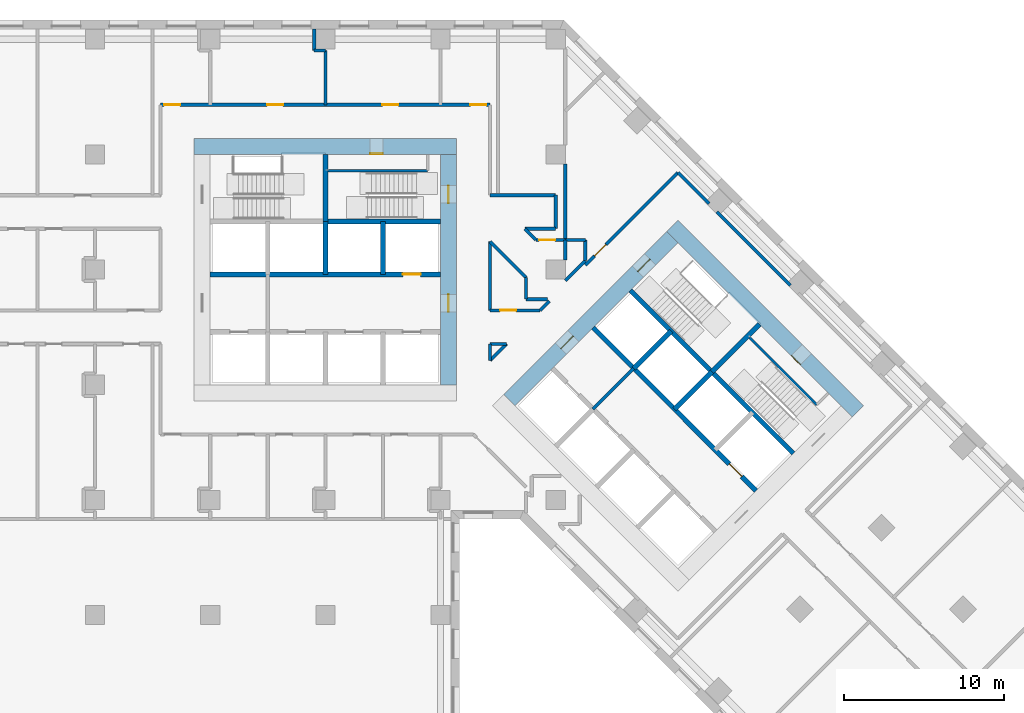
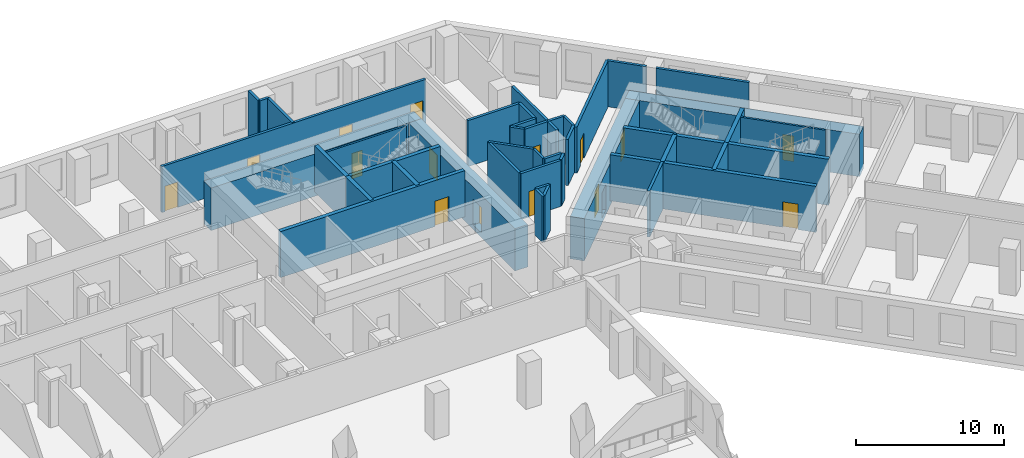
# One storey, part 9 of 14: 44 walls, 15 doors, 15 openings.
"""IFC4 building model written with IfcOpenShell, lengths in metres."""

import ifcopenshell
import ifcopenshell.guid

model = None  # the IFC model being written
_history = None  # IfcOwnerHistory: only IFC2X3 demands one
_inside = {}  # id of a spatial element -> (the spatial element, [elements in it])
_under = {}  # id of a project, library or spatial element -> (it, [spatial elements below it])
_declared = {}  # id of a project -> (the project, [libraries it declares])
_typed = {}  # id of a type object -> (the type object, [elements of that type])
_made_of = {}  # id of a material, layer set ... -> (it, [elements and type objects made of it])


def new_model(schema):
    """Start an empty IFC model of exactly this schema.

    Asked for "IFC4X3", IfcOpenShell would pick the latest addendum, in which some entities
    have other attributes; the version numbers below select the first issue.
    IFC2X3 requires an IfcOwnerHistory on every rooted entity: one is made here for all.
    """
    global model, _history
    if schema == "IFC4X3":
        model = ifcopenshell.file(schema_version=(4, 3, 0, 0))
    else:
        model = ifcopenshell.file(schema=schema)
    _inside.clear()
    _under.clear()
    _declared.clear()
    _typed.clear()
    _made_of.clear()
    _history = None
    if model.schema == "IFC2X3":
        org = make("IfcOrganization", Name="unknown")
        user = make(
            "IfcPersonAndOrganization",
            ThePerson=make("IfcPerson", FamilyName="unknown"),
            TheOrganization=org,
        )
        app = make(
            "IfcApplication",
            ApplicationDeveloper=org,
            Version="unknown",
            ApplicationFullName="unknown",
            ApplicationIdentifier="unknown",
        )
        _history = make(
            "IfcOwnerHistory",
            OwningUser=user,
            OwningApplication=app,
            ChangeAction="ADDED",
            CreationDate=0,
        )
    return model


def make(cls, **values):
    """One entity of the class cls with the attributes given. An attribute that is None is left unset."""
    return model.create_entity(
        cls, **{name: value for name, value in values.items() if value is not None}
    )


def rooted(cls, **values):
    """An entity with a GlobalId (a new one), such as an element, a storey or a relation."""
    return make(cls, GlobalId=ifcopenshell.guid.new(), OwnerHistory=_history, **values)


def si_unit(unit_type, name, prefix=None):
    """IfcSIUnit, for example si_unit("LENGTHUNIT", "METRE", prefix="MILLI")."""
    return make("IfcSIUnit", UnitType=unit_type, Prefix=prefix, Name=name)


def assignment(units):
    """IfcUnitAssignment: the units of a project."""
    return None if units is None else make("IfcUnitAssignment", Units=units)


def point(xyz):
    """IfcCartesianPoint."""
    return None if xyz is None else make("IfcCartesianPoint", Coordinates=xyz)


def direction(xyz):
    """IfcDirection."""
    return None if xyz is None else make("IfcDirection", DirectionRatios=xyz)


def frame(location, z_axis=None, x_axis=None):
    """IfcAxis2Placement3D, a coordinate frame: its origin and axes. An axis left out is left unset."""
    return make(
        "IfcAxis2Placement3D",
        Location=point(location),
        Axis=direction(z_axis),
        RefDirection=direction(x_axis),
    )


def frame_2d(location, x_axis=None):
    """IfcAxis2Placement2D, a coordinate frame in the plane: its origin and x axis."""
    return make(
        "IfcAxis2Placement2D", Location=point(location), RefDirection=direction(x_axis)
    )


def origin():
    """The frame at (0, 0, 0) with its axes left unset."""
    return frame((0.0, 0.0, 0.0))


def place(relative_to, where):
    """IfcLocalPlacement: puts the frame where relative to a parent placement (None: the world)."""
    return make(
        "IfcLocalPlacement", PlacementRelTo=relative_to, RelativePlacement=where
    )


def context(
    kind, dimensions, precision=None, world=None, true_north=None, identifier=None
):
    """IfcGeometricRepresentationContext, for example the 3D "Model" context."""
    return make(
        "IfcGeometricRepresentationContext",
        ContextIdentifier=identifier,
        ContextType=kind,
        CoordinateSpaceDimension=dimensions,
        Precision=precision,
        WorldCoordinateSystem=world,
        TrueNorth=true_north,
    )


def subcontext(parent, identifier, kind, view, scale=None):
    """IfcGeometricRepresentationSubContext, for example "Body" below "Model"."""
    return make(
        "IfcGeometricRepresentationSubContext",
        ContextIdentifier=identifier,
        ContextType=kind,
        ParentContext=parent,
        TargetScale=scale,
        TargetView=view,
    )


def project(units=None, contexts=None):
    """IfcProject with its units and contexts."""
    return rooted(
        "IfcProject",
        Name="project",
        RepresentationContexts=contexts,
        UnitsInContext=assignment(units),
    )


def spatial(cls, under=None, at=None, **own):
    """A site, building, storey or space (cls), placed at a placement, below another one or the project."""
    s = rooted(cls, ObjectPlacement=at, **own)
    if under is not None:
        _under.setdefault(under.id(), (under, []))[1].append(s)
    return s


def profile(cls, at=None, kind="AREA", **sizes):
    """A parametric profile (cls). Its sizes go by their IFC names, for example OverallWidth=200.0."""
    return make(cls, ProfileType=kind, Position=at, **sizes)


def rectangle(**sizes):
    """IfcRectangleProfileDef."""
    return profile("IfcRectangleProfileDef", **sizes)


def extrude(swept, where, along, depth):
    """IfcExtrudedAreaSolid: the profile swept, set in the frame where, extruded along a direction by depth."""
    return make(
        "IfcExtrudedAreaSolid",
        SweptArea=swept,
        Position=where,
        ExtrudedDirection=direction(along),
        Depth=depth,
    )


def shape(context_of_items, identifier, shape_type, items):
    """IfcShapeRepresentation: the items that make up one representation, for example the "Body"."""
    return make(
        "IfcShapeRepresentation",
        ContextOfItems=context_of_items,
        RepresentationIdentifier=identifier,
        RepresentationType=shape_type,
        Items=items,
    )


def material(Name=None, Category=None):
    """IfcMaterial."""
    return make("IfcMaterial", Name=Name, Category=Category)


def layer(
    of_material, thickness, ventilated=None, Name=None, Category=None, Priority=None
):
    """IfcMaterialLayer: one layer of a wall or slab, of a material (None: an air gap)."""
    return make(
        "IfcMaterialLayer",
        Material=of_material,
        LayerThickness=thickness,
        IsVentilated=ventilated,
        Name=Name,
        Category=Category,
        Priority=Priority,
    )


def layer_set(layers, Name=None):
    """IfcMaterialLayerSet."""
    return make("IfcMaterialLayerSet", MaterialLayers=layers, LayerSetName=Name)


def made_of(thing, what):
    """Note that an element or type object is made of a material, layer set ...; save() writes the relation."""
    if what is not None:
        _made_of.setdefault(what.id(), (what, []))[1].append(thing)
    return thing


def type_object(cls, material=None, **own):
    """A type object (cls), such as IfcWallType, which elements share."""
    return made_of(rooted(cls, **own), material)


def element(
    cls,
    number,
    at=None,
    inside=None,
    cuts=None,
    type_object=None,
    material=None,
    context=None,
    identifier="Body",
    shape_type=None,
    held_by="IfcProductDefinitionShape",
    body=None,
    shapes=None,
    **own,
):
    """One element of the class cls, such as IfcWall. Its Tag is "e" and its number.

    at: its placement. inside: the storey or other place that contains it. cuts: it is an
    opening in that element (IfcRelVoidsElement). A single representation is given by context,
    identifier, shape_type and body (its items); several are given by shapes. held_by: the class
    of the entity that holds the representations. save() writes the other relations.
    """
    e = rooted(cls, Tag="e%d" % number, ObjectPlacement=at, **own)
    if body is not None:
        shapes = [shape(context, identifier, shape_type, body)]
    if shapes is not None:
        e.Representation = make(held_by, Representations=shapes)
    if inside is not None:
        _inside.setdefault(inside.id(), (inside, []))[1].append(e)
    if cuts is not None:
        rooted(
            "IfcRelVoidsElement", RelatingBuildingElement=cuts, RelatedOpeningElement=e
        )
    if type_object is not None:
        _typed.setdefault(type_object.id(), (type_object, []))[1].append(e)
    return made_of(e, material)


def fill(opening, filler):
    """IfcRelFillsElement: the door or window that sits in an opening."""
    return rooted(
        "IfcRelFillsElement",
        RelatingOpeningElement=opening,
        RelatedBuildingElement=filler,
    )


def aggregate(whole, parts):
    """IfcRelAggregates: a whole, such as a stair, and the parts it consists of."""
    return rooted("IfcRelAggregates", RelatingObject=whole, RelatedObjects=parts)


def save(model, path):
    """Write the relations noted so far, then the file.

    IfcRelAggregates (storeys below a building ...), IfcRelContainedInSpatialStructure (elements
    in a storey), IfcRelDefinesByType, IfcRelAssociatesMaterial and IfcRelDeclares: one each for
    every whole, place, type object, material and project.
    """
    for whole, parts in _under.values():
        aggregate(whole, parts)
    for where, things in _inside.values():
        rooted(
            "IfcRelContainedInSpatialStructure",
            RelatedElements=things,
            RelatingStructure=where,
        )
    for kind, things in _typed.values():
        rooted("IfcRelDefinesByType", RelatedObjects=things, RelatingType=kind)
    for what, things in _made_of.values():
        rooted("IfcRelAssociatesMaterial", RelatedObjects=things, RelatingMaterial=what)
    for by, libraries in _declared.values():
        rooted("IfcRelDeclares", RelatingContext=by, RelatedDefinitions=libraries)
    model.write(path)


model = new_model("IFC4")

# Units and contexts
model_context = context("Model", 3, precision=1e-05, world=origin(), true_north=direction((0.0, 1.0)))
body_context = subcontext(model_context, "Body", "Model", "MODEL_VIEW")
ifc_project = project(units=[si_unit("LENGTHUNIT", "METRE"), si_unit("AREAUNIT", "SQUARE_METRE"), si_unit("VOLUMEUNIT", "CUBIC_METRE"), si_unit("PLANEANGLEUNIT", "RADIAN"), si_unit("MASSUNIT", "GRAM", prefix="KILO")], contexts=[model_context])

# Site, building, storey
site_placement = place(None, origin())
site = spatial("IfcSite", under=ifc_project, at=site_placement, CompositionType="ELEMENT")
building_placement = place(site_placement, origin())
building = spatial("IfcBuilding", under=site, at=building_placement, Name="Windrow Commons", CompositionType="ELEMENT")
storey_placement = place(building_placement, frame((0.0, 0.0, 10.2)))
storey = spatial("IfcBuildingStorey", under=building, at=storey_placement, Name="L02", CompositionType="ELEMENT", Elevation=10.2)

# Wall
ifc_material_1 = material(Name="Blockwork partition", Category="masonry")
ifc_layer_1 = layer(ifc_material_1, 0.2)
ifc_layer_set_1 = layer_set([ifc_layer_1], Name="Fire lobby partition 200")
wall_type_1 = type_object("IfcWallType", Name="Fire lobby partition 200", PredefinedType="PARTITIONING", material=ifc_layer_set_1)
wall_1_placement = place(storey_placement, frame((81.5335, 48.8776, 0.0), z_axis=(0.0, 0.0, 1.0), x_axis=(0.707092892, 0.7071206701, 0.0)))
element("IfcWall", 1, at=wall_1_placement, inside=storey, type_object=wall_type_1, Name="W-core-lobby-B-L02", PredefinedType="PARTITIONING", context=body_context, shape_type="SweptSolid", body=[
    extrude(rectangle(XDim=3.6, YDim=0.2, at=frame_2d((1.8, 0.0))), origin(), (0.0, 0.0, 1.0), 3.8),
])

# Wall, openings, doors
ifc_material_2 = material(Name="Blockwork partition", Category="masonry")
ifc_layer_2 = layer(ifc_material_2, 0.2)
ifc_layer_set_2 = layer_set([ifc_layer_2], Name="IW-CORRIDOR-200")
wall_type_2 = type_object("IfcWallType", Name="IW-CORRIDOR-200", PredefinedType="PARTITIONING", material=ifc_layer_set_2)
wall_2_placement = place(storey_placement, frame((54.5, 67.9, 0.0), z_axis=(0.0, 0.0, 1.0), x_axis=(1.0, 0.0, 0.0)))
wall_2 = element("IfcWall", 2, at=wall_2_placement, inside=storey, type_object=wall_type_2, Name="W-L02-W007", PredefinedType="PARTITIONING", context=body_context, shape_type="SweptSolid", body=[
    extrude(rectangle(XDim=20.6, YDim=0.2, at=frame_2d((10.3, 0.0))), origin(), (0.0, 0.0, 1.0), 3.8),
])
opening_1_placement = place(wall_2_placement, frame((0.2297, 0.0, 0.0)))
opening_1 = element("IfcOpeningElement", 3, at=opening_1_placement, cuts=wall_2, Name="Opening D310F", PredefinedType="OPENING", context=body_context, shape_type="SweptSolid", body=[
    extrude(rectangle(XDim=1.0, YDim=2.1, at=frame_2d((0.5, 1.05))), frame((0.0, 0.11, 0.0), z_axis=(0.0, -1.0, 0.0), x_axis=(1.0, 0.0, 0.0)), (0.0, 0.0, 1.0), 0.22),
])
opening_2_placement = place(wall_2_placement, frame((19.3703, 0.0, 0.0)))
opening_2 = element("IfcOpeningElement", 4, at=opening_2_placement, cuts=wall_2, Name="Opening D310F", PredefinedType="OPENING", context=body_context, shape_type="SweptSolid", body=[
    extrude(rectangle(XDim=1.0, YDim=2.1, at=frame_2d((0.5, 1.05))), frame((0.0, 0.11, 0.0), z_axis=(0.0, -1.0, 0.0), x_axis=(1.0, 0.0, 0.0)), (0.0, 0.0, 1.0), 0.22),
])
opening_3_placement = place(wall_2_placement, frame((6.6575, 0.0, 0.0)))
opening_3 = element("IfcOpeningElement", 5, at=opening_3_placement, cuts=wall_2, Name="Opening D310F", PredefinedType="OPENING", context=body_context, shape_type="SweptSolid", body=[
    extrude(rectangle(XDim=1.0, YDim=2.1, at=frame_2d((0.5, 1.05))), frame((0.0, 0.11, 0.0), z_axis=(0.0, -1.0, 0.0), x_axis=(1.0, 0.0, 0.0)), (0.0, 0.0, 1.0), 0.22),
])
opening_4_placement = place(wall_2_placement, frame((13.8575, 0.0, 0.0)))
opening_4 = element("IfcOpeningElement", 6, at=opening_4_placement, cuts=wall_2, Name="Opening D310F", PredefinedType="OPENING", context=body_context, shape_type="SweptSolid", body=[
    extrude(rectangle(XDim=1.0, YDim=2.1, at=frame_2d((0.5, 1.05))), frame((0.0, 0.11, 0.0), z_axis=(0.0, -1.0, 0.0), x_axis=(1.0, 0.0, 0.0)), (0.0, 0.0, 1.0), 0.22),
])
ifc_material_3 = material(Name="Timber door leaf", Category="wood")
door_type_1 = type_object("IfcDoorType", Name="DT-AMENITY-1000", OperationType="SINGLE_SWING_LEFT", PredefinedType="DOOR", material=ifc_material_3)
door_1_placement = place(opening_1_placement, origin())
door_1 = element("IfcDoor", 7, at=door_1_placement, inside=storey, type_object=door_type_1, Name="D-L02-D036", OperationType="SINGLE_SWING_LEFT", OverallHeight=2.1, OverallWidth=1.0, PredefinedType="DOOR", context=body_context, shape_type="SweptSolid", body=[
    extrude(rectangle(XDim=1.0, YDim=2.1, at=frame_2d((0.5, 1.05))), frame((0.0, 0.025, 0.0), z_axis=(0.0, -1.0, 0.0), x_axis=(1.0, 0.0, 0.0)), (0.0, 0.0, 1.0), 0.05),
])
fill(opening_1, door_1)
door_2_placement = place(opening_2_placement, origin())
door_2 = element("IfcDoor", 8, at=door_2_placement, inside=storey, type_object=door_type_1, Name="D-L02-D037", OperationType="SINGLE_SWING_RIGHT", OverallHeight=2.1, OverallWidth=1.0, PredefinedType="DOOR", context=body_context, shape_type="SweptSolid", body=[
    extrude(rectangle(XDim=1.0, YDim=2.1, at=frame_2d((0.5, 1.05))), frame((0.0, 0.025, 0.0), z_axis=(0.0, -1.0, 0.0), x_axis=(1.0, 0.0, 0.0)), (0.0, 0.0, 1.0), 0.05),
])
fill(opening_2, door_2)
door_3_placement = place(opening_3_placement, origin())
door_3 = element("IfcDoor", 9, at=door_3_placement, inside=storey, type_object=door_type_1, Name="D-L02-D038", OperationType="SINGLE_SWING_RIGHT", OverallHeight=2.1, OverallWidth=1.0, PredefinedType="DOOR", context=body_context, shape_type="SweptSolid", body=[
    extrude(rectangle(XDim=1.0, YDim=2.1, at=frame_2d((0.5, 1.05))), frame((0.0, 0.025, 0.0), z_axis=(0.0, -1.0, 0.0), x_axis=(1.0, 0.0, 0.0)), (0.0, 0.0, 1.0), 0.05),
])
fill(opening_3, door_3)
door_4_placement = place(opening_4_placement, origin())
door_4 = element("IfcDoor", 10, at=door_4_placement, inside=storey, type_object=door_type_1, Name="D-L02-D039", OperationType="SINGLE_SWING_RIGHT", OverallHeight=2.1, OverallWidth=1.0, PredefinedType="DOOR", context=body_context, shape_type="SweptSolid", body=[
    extrude(rectangle(XDim=1.0, YDim=2.1, at=frame_2d((0.5, 1.05))), frame((0.0, 0.025, 0.0), z_axis=(0.0, -1.0, 0.0), x_axis=(1.0, 0.0, 0.0)), (0.0, 0.0, 1.0), 0.05),
])
fill(opening_4, door_4)

# Wall, opening, door
wall_3_placement = place(storey_placement, frame((81.0515, 57.8725, 0.0), z_axis=(0.0, 0.0, 1.0), x_axis=(0.7071067812, 0.7071067812, 0.0)))
wall_3 = element("IfcWall", 11, at=wall_3_placement, inside=storey, type_object=wall_type_2, Name="W-L02-W033", PredefinedType="PARTITIONING", context=body_context, shape_type="SweptSolid", body=[
    extrude(rectangle(XDim=8.1798, YDim=0.2, at=frame_2d((4.0899, 0.0))), origin(), (0.0, 0.0, 1.0), 3.8),
])
opening_5_placement = place(wall_3_placement, frame((0.8234, 0.0, 0.0)))
opening_5 = element("IfcOpeningElement", 12, at=opening_5_placement, cuts=wall_3, Name="Opening D310F", PredefinedType="OPENING", context=body_context, shape_type="SweptSolid", body=[
    extrude(rectangle(XDim=1.0, YDim=2.1, at=frame_2d((0.5, 1.05))), frame((0.0, 0.11, 0.0), z_axis=(0.0, -1.0, 0.0), x_axis=(1.0, 0.0, 0.0)), (0.0, 0.0, 1.0), 0.22),
])
door_5_placement = place(opening_5_placement, origin())
door_5 = element("IfcDoor", 13, at=door_5_placement, inside=storey, type_object=door_type_1, Name="D-L02-D041", OperationType="SINGLE_SWING_RIGHT", OverallHeight=2.1, OverallWidth=1.0, PredefinedType="DOOR", context=body_context, shape_type="SweptSolid", body=[
    extrude(rectangle(XDim=1.0, YDim=2.1, at=frame_2d((0.5, 1.05))), frame((0.0, 0.025, 0.0), z_axis=(0.0, -1.0, 0.0), x_axis=(1.0, 0.0, 0.0)), (0.0, 0.0, 1.0), 0.05),
])
fill(opening_5, door_5)

# Walls
wall_4_placement = place(storey_placement, frame((89.2712, 61.2152, 0.0), z_axis=(0.0, 0.0, 1.0), x_axis=(0.7071067812, -0.7071067812, 0.0)))
element("IfcWall", 14, at=wall_4_placement, inside=storey, type_object=wall_type_2, Name="W-L02-W036", PredefinedType="PARTITIONING", context=body_context, shape_type="SweptSolid", body=[
    extrude(rectangle(XDim=6.5054, YDim=0.2, at=frame_2d((3.2527, 0.0))), origin(), (0.0, 0.0, 1.0), 3.8),
])
wall_5_placement = place(storey_placement, frame((75.1, 55.052, 0.0), z_axis=(0.0, 0.0, 1.0), x_axis=(0.0, 1.0, 0.0)))
element("IfcWall", 15, at=wall_5_placement, inside=storey, type_object=wall_type_2, Name="W-L02-W063", PredefinedType="PARTITIONING", context=body_context, shape_type="SweptSolid", body=[
    extrude(rectangle(XDim=4.288, YDim=0.2, at=frame_2d((2.144, 0.0))), origin(), (0.0, 0.0, 1.0), 3.8),
])
wall_6_placement = place(storey_placement, frame((75.102, 62.25, 0.0), z_axis=(0.0, 0.0, 1.0), x_axis=(1.0, 0.0, 0.0)))
element("IfcWall", 16, at=wall_6_placement, inside=storey, type_object=wall_type_2, Name="W-L02-W064", PredefinedType="PARTITIONING", context=body_context, shape_type="SweptSolid", body=[
    extrude(rectangle(XDim=4.098, YDim=0.2, at=frame_2d((2.049, 0.0))), origin(), (0.0, 0.0, 1.0), 3.8),
])
wall_7_placement = place(storey_placement, frame((75.0986, 59.3366, 0.0), z_axis=(0.0, 0.0, 1.0), x_axis=(0.7071067812, -0.7071067812, 0.0)))
element("IfcWall", 17, at=wall_7_placement, inside=storey, type_object=wall_type_2, Name="W-L02-W072", PredefinedType="PARTITIONING", context=body_context, shape_type="SweptSolid", body=[
    extrude(rectangle(XDim=3.1792, YDim=0.2, at=frame_2d((1.5896, 0.0))), origin(), (0.0, 0.0, 1.0), 3.8),
])

# Wall, opening, door
wall_8_placement = place(storey_placement, frame((75.102, 55.05, 0.0), z_axis=(0.0, 0.0, 1.0), x_axis=(1.0, 0.0, 0.0)))
wall_8 = element("IfcWall", 18, at=wall_8_placement, inside=storey, type_object=wall_type_2, Name="W-L02-W073", PredefinedType="PARTITIONING", context=body_context, shape_type="SweptSolid", body=[
    extrude(rectangle(XDim=3.128, YDim=0.2, at=frame_2d((1.564, 0.0))), origin(), (0.0, 0.0, 1.0), 3.8),
])
opening_6_placement = place(wall_8_placement, frame((0.6166, 0.0, 0.0)))
opening_6 = element("IfcOpeningElement", 19, at=opening_6_placement, cuts=wall_8, Name="Opening D410F", PredefinedType="OPENING", context=body_context, shape_type="SweptSolid", body=[
    extrude(rectangle(XDim=1.0, YDim=2.1, at=frame_2d((0.5, 1.05))), frame((0.0, 0.11, 0.0), z_axis=(0.0, -1.0, 0.0), x_axis=(1.0, 0.0, 0.0)), (0.0, 0.0, 1.0), 0.22),
])
ifc_material_4 = material(Name="Timber door leaf", Category="wood")
door_type_2 = type_object("IfcDoorType", Name="DT-SERVICE-1000", OperationType="SINGLE_SWING_LEFT", PredefinedType="DOOR", material=ifc_material_4)
door_6_placement = place(opening_6_placement, origin())
door_6 = element("IfcDoor", 20, at=door_6_placement, inside=storey, type_object=door_type_2, Name="D-L02-D017", OperationType="SINGLE_SWING_LEFT", OverallHeight=2.1, OverallWidth=1.0, PredefinedType="DOOR", context=body_context, shape_type="SweptSolid", body=[
    extrude(rectangle(XDim=1.0, YDim=2.1, at=frame_2d((0.5, 1.05))), frame((0.0, 0.025, 0.0), z_axis=(0.0, -1.0, 0.0), x_axis=(1.0, 0.0, 0.0)), (0.0, 0.0, 1.0), 0.05),
])
fill(opening_6, door_6)

# Walls
wall_9_placement = place(storey_placement, frame((86.8413, 63.6593, 0.0), z_axis=(0.0, 0.0, 1.0), x_axis=(0.7067795096, -0.7074339014, 0.0)))
element("IfcWall", 21, at=wall_9_placement, inside=storey, type_object=wall_type_2, Name="W-L02-W074", PredefinedType="PARTITIONING", context=body_context, shape_type="SweptSolid", body=[
    extrude(rectangle(XDim=2.7506, YDim=0.2, at=frame_2d((1.3753, 0.0))), origin(), (0.0, 0.0, 1.0), 3.8),
])
wall_10_placement = place(storey_placement, frame((79.2, 60.152, 0.0), z_axis=(0.0, 0.0, 1.0), x_axis=(0.0, 1.0, 0.0)))
element("IfcWall", 22, at=wall_10_placement, inside=storey, type_object=wall_type_2, Name="W-L02-W081", PredefinedType="PARTITIONING", context=body_context, shape_type="SweptSolid", body=[
    extrude(rectangle(XDim=2.098, YDim=0.2, at=frame_2d((1.049, 0.0))), origin(), (0.0, 0.0, 1.0), 3.8),
])
wall_11_placement = place(storey_placement, frame((77.264, 60.15, 0.0), z_axis=(0.0, 0.0, 1.0), x_axis=(1.0, 0.0, 0.0)))
element("IfcWall", 23, at=wall_11_placement, inside=storey, type_object=wall_type_2, Name="W-L02-W084", PredefinedType="PARTITIONING", context=body_context, shape_type="SweptSolid", body=[
    extrude(rectangle(XDim=1.934, YDim=0.2, at=frame_2d((0.967, 0.0))), origin(), (0.0, 0.0, 1.0), 3.8),
])

# Wall, opening, door
wall_12_placement = place(storey_placement, frame((77.962, 59.45, 0.0), z_axis=(0.0, 0.0, 1.0), x_axis=(1.0, 0.0, 0.0)))
wall_12 = element("IfcWall", 24, at=wall_12_placement, inside=storey, type_object=wall_type_2, Name="W-L02-W099", PredefinedType="PARTITIONING", context=body_context, shape_type="SweptSolid", body=[
    extrude(rectangle(XDim=1.838, YDim=0.2, at=frame_2d((0.919, 0.0))), origin(), (0.0, 0.0, 1.0), 3.8),
])
opening_7_placement = place(wall_12_placement, frame((0.195, 0.0, 0.0)))
opening_7 = element("IfcOpeningElement", 25, at=opening_7_placement, cuts=wall_12, Name="Opening D310F", PredefinedType="OPENING", context=body_context, shape_type="SweptSolid", body=[
    extrude(rectangle(XDim=1.0, YDim=2.1, at=frame_2d((0.5, 1.05))), frame((0.0, 0.11, 0.0), z_axis=(0.0, -1.0, 0.0), x_axis=(1.0, 0.0, 0.0)), (0.0, 0.0, 1.0), 0.22),
])
door_7_placement = place(opening_7_placement, origin())
door_7 = element("IfcDoor", 26, at=door_7_placement, inside=storey, type_object=door_type_1, Name="D-L02-D040", OperationType="SINGLE_SWING_LEFT", OverallHeight=2.1, OverallWidth=1.0, PredefinedType="DOOR", context=body_context, shape_type="SweptSolid", body=[
    extrude(rectangle(XDim=1.0, YDim=2.1, at=frame_2d((0.5, 1.05))), frame((0.0, 0.025, 0.0), z_axis=(0.0, -1.0, 0.0), x_axis=(1.0, 0.0, 0.0)), (0.0, 0.0, 1.0), 0.05),
])
fill(opening_7, door_7)

# Walls
wall_13_placement = place(storey_placement, frame((79.8011, 56.9049, 0.0), z_axis=(0.0, 0.0, 1.0), x_axis=(0.7071067812, 0.7071067812, 0.0)))
element("IfcWall", 27, at=wall_13_placement, inside=storey, type_object=wall_type_2, Name="W-L02-W102", PredefinedType="PARTITIONING", context=body_context, shape_type="SweptSolid", body=[
    extrude(rectangle(XDim=1.7649, YDim=0.2, at=frame_2d((0.8824, 0.0))), origin(), (0.0, 0.0, 1.0), 3.8),
])
wall_14_placement = place(storey_placement, frame((75.1015, 51.9225, 0.0), z_axis=(0.0, 0.0, 1.0), x_axis=(0.7071067812, 0.7071067812, 0.0)))
element("IfcWall", 28, at=wall_14_placement, inside=storey, type_object=wall_type_2, Name="W-L02-W106", PredefinedType="PARTITIONING", context=body_context, shape_type="SweptSolid", body=[
    extrude(rectangle(XDim=1.451, YDim=0.2, at=frame_2d((0.7255, 0.0))), origin(), (0.0, 0.0, 1.0), 3.8),
])
for number, where, z_axis, x_axis, name in (
    (29, (77.35, 55.752, 0.0), (0.0, 0.0, 1.0), (0.0, 1.0, 0.0), "W-L02-W123"),
    (30, (77.352, 55.75, 0.0), (0.0, 0.0, 1.0), (1.0, 0.0, 0.0), "W-L02-W124"),
):
    element("IfcWall", number, at=place(storey_placement, frame(where, z_axis=z_axis, x_axis=x_axis)), inside=storey, type_object=wall_type_2, Name=name, PredefinedType="PARTITIONING", context=body_context, shape_type="SweptSolid", body=[
        extrude(rectangle(XDim=1.34, YDim=0.2, at=frame_2d((0.67, 0.0))), origin(), (0.0, 0.0, 1.0), 3.8),
    ])
wall_15_placement = place(storey_placement, frame((79.8, 58.2, 0.0), z_axis=(0.0, 0.0, 1.0), x_axis=(0.0, 1.0, 0.0)))
element("IfcWall", 31, at=wall_15_placement, inside=storey, type_object=wall_type_2, Name="W-L02-W131", PredefinedType="PARTITIONING", context=body_context, shape_type="SweptSolid", body=[
    extrude(rectangle(XDim=1.25, YDim=0.2, at=frame_2d((0.625, 0.0))), origin(), (0.0, 0.0, 1.0), 3.8),
])
wall_16_placement = place(storey_placement, frame((75.1, 51.922, 0.0), z_axis=(0.0, 0.0, 1.0), x_axis=(0.0, 1.0, 0.0)))
element("IfcWall", 32, at=wall_16_placement, inside=storey, type_object=wall_type_2, Name="W-L02-W133", PredefinedType="PARTITIONING", context=body_context, shape_type="SweptSolid", body=[
    extrude(rectangle(XDim=1.028, YDim=0.2, at=frame_2d((0.514, 0.0))), origin(), (0.0, 0.0, 1.0), 3.8),
])
wall_17_placement = place(storey_placement, frame((75.102, 52.95, 0.0), z_axis=(0.0, 0.0, 1.0), x_axis=(1.0, 0.0, 0.0)))
element("IfcWall", 33, at=wall_17_placement, inside=storey, type_object=wall_type_2, Name="W-L02-W134", PredefinedType="PARTITIONING", context=body_context, shape_type="SweptSolid", body=[
    extrude(rectangle(XDim=1.026, YDim=0.2, at=frame_2d((0.513, 0.0))), origin(), (0.0, 0.0, 1.0), 3.8),
])
wall_18_placement = place(storey_placement, frame((77.2605, 60.1445, 0.0), z_axis=(0.0, 0.0, 1.0), x_axis=(0.7071067812, -0.7071067812, 0.0)))
element("IfcWall", 34, at=wall_18_placement, inside=storey, type_object=wall_type_2, Name="W-L02-W135", PredefinedType="PARTITIONING", context=body_context, shape_type="SweptSolid", body=[
    extrude(rectangle(XDim=0.9871, YDim=0.2, at=frame_2d((0.4935, 0.0))), origin(), (0.0, 0.0, 1.0), 3.8),
])
wall_19_placement = place(storey_placement, frame((78.2295, 55.0505, 0.0), z_axis=(0.0, 0.0, 1.0), x_axis=(0.7071067812, 0.7071067812, 0.0)))
element("IfcWall", 35, at=wall_19_placement, inside=storey, type_object=wall_type_2, Name="W-L02-W137", PredefinedType="PARTITIONING", context=body_context, shape_type="SweptSolid", body=[
    extrude(rectangle(XDim=0.8202, YDim=0.2, at=frame_2d((0.4101, 0.0))), origin(), (0.0, 0.0, 1.0), 3.8),
])
ifc_material_5 = material(Name="Blockwork partition", Category="masonry")
ifc_layer_3 = layer(ifc_material_5, 0.2)
ifc_layer_set_3 = layer_set([ifc_layer_3], Name="IW-PARTY-200")
wall_type_3 = type_object("IfcWallType", Name="IW-PARTY-200", PredefinedType="PARTITIONING", material=ifc_layer_set_3)
wall_20_placement = place(storey_placement, frame((79.8, 59.45, 0.0), z_axis=(0.0, 0.0, 1.0), x_axis=(0.0, 1.0, 0.0)))
element("IfcWall", 36, at=wall_20_placement, inside=storey, type_object=wall_type_3, Name="W-L02-W061", PredefinedType="PARTITIONING", context=body_context, shape_type="SweptSolid", body=[
    extrude(rectangle(XDim=4.75, YDim=0.2, at=frame_2d((2.375, 0.0))), origin(), (0.0, 0.0, 1.0), 3.8),
])
wall_21_placement = place(storey_placement, frame((64.8, 67.9, 0.0), z_axis=(0.0, 0.0, 1.0), x_axis=(0.0, 1.0, 0.0)))
element("IfcWall", 37, at=wall_21_placement, inside=storey, type_object=wall_type_3, Name="W-L02-W067", PredefinedType="PARTITIONING", context=body_context, shape_type="SweptSolid", body=[
    extrude(rectangle(XDim=3.396, YDim=0.2, at=frame_2d((1.698, 0.0))), origin(), (0.0, 0.0, 1.0), 3.8),
])
wall_22_placement = place(storey_placement, frame((64.1, 71.296, 0.0), z_axis=(0.0, 0.0, 1.0), x_axis=(0.0, 1.0, 0.0)))
element("IfcWall", 38, at=wall_22_placement, inside=storey, type_object=wall_type_3, Name="W-L02-W128", PredefinedType="PARTITIONING", context=body_context, shape_type="SweptSolid", body=[
    extrude(rectangle(XDim=1.354, YDim=0.2, at=frame_2d((0.677, 0.0))), origin(), (0.0, 0.0, 1.0), 3.8),
])
wall_23_placement = place(storey_placement, frame((81.05, 58.152, 0.0), z_axis=(0.0, 0.0, 1.0), x_axis=(0.0, 1.0, 0.0)))
element("IfcWall", 39, at=wall_23_placement, inside=storey, type_object=wall_type_3, Name="W-L02-W129", PredefinedType="PARTITIONING", context=body_context, shape_type="SweptSolid", body=[
    extrude(rectangle(XDim=1.296, YDim=0.2, at=frame_2d((0.648, 0.0))), origin(), (0.0, 0.0, 1.0), 3.8),
])
wall_24_placement = place(storey_placement, frame((79.8, 59.45, 0.0), z_axis=(0.0, 0.0, 1.0), x_axis=(1.0, 0.0, 0.0)))
element("IfcWall", 40, at=wall_24_placement, inside=storey, type_object=wall_type_3, Name="W-L02-W132", PredefinedType="PARTITIONING", context=body_context, shape_type="SweptSolid", body=[
    extrude(rectangle(XDim=1.248, YDim=0.2, at=frame_2d((0.624, 0.0))), origin(), (0.0, 0.0, 1.0), 3.8),
])
wall_25_placement = place(storey_placement, frame((64.1, 71.3, 0.0), z_axis=(0.0, 0.0, 1.0), x_axis=(1.0, 0.0, 0.0)))
element("IfcWall", 41, at=wall_25_placement, inside=storey, type_object=wall_type_3, Name="W-L02-W157", PredefinedType="PARTITIONING", context=body_context, shape_type="SweptSolid", body=[
    extrude(rectangle(XDim=0.7, YDim=0.2, at=frame_2d((0.35, 0.0))), origin(), (0.0, 0.0, 1.0), 3.8),
])

# Wall, opening, door
ifc_material_6 = material(Name="Concrete C60/75", Category="concrete")
ifc_layer_4 = layer(ifc_material_6, 1.0)
ifc_layer_set_4 = layer_set([ifc_layer_4], Name="RC CORE WALL 1000 C60/75")
wall_type_4 = type_object("IfcWallType", Name="RC CORE WALL 1000 C60/75", PredefinedType="SHEAR", material=ifc_layer_set_4)
wall_26_placement = place(storey_placement, frame((56.6, 65.3, -0.4), z_axis=(0.0, 0.0, 1.0), x_axis=(1.0, 0.0, 0.0)))
wall_26 = element("IfcWall", 42, at=wall_26_placement, inside=storey, type_object=wall_type_4, Name="Core A wall outer-N", PredefinedType="SHEAR", context=body_context, shape_type="SweptSolid", body=[
    extrude(rectangle(XDim=16.4, YDim=1.0, at=frame_2d((8.2, 0.0))), origin(), (0.0, 0.0, 1.0), 3.5),
])
opening_8_placement = place(wall_26_placement, frame((11.0, 0.0, 0.4)))
opening_8 = element("IfcOpeningElement", 43, at=opening_8_placement, cuts=wall_26, Name="Opening D9", PredefinedType="OPENING", context=body_context, shape_type="SweptSolid", body=[
    extrude(rectangle(XDim=0.8, YDim=2.1, at=frame_2d((0.4, 1.05))), frame((0.0, 0.51, 0.0), z_axis=(0.0, -1.0, 0.0), x_axis=(1.0, 0.0, 0.0)), (0.0, 0.0, 1.0), 1.02),
])
ifc_material_7 = material(Name="Steel fire door leaf", Category="steel")
door_type_3 = type_object("IfcDoorType", Name="Riser access door 800", OperationType="SINGLE_SWING_LEFT", PredefinedType="DOOR", material=ifc_material_7)
door_8_placement = place(opening_8_placement, origin())
door_8 = element("IfcDoor", 44, at=door_8_placement, inside=storey, type_object=door_type_3, Name="Riser access door", OperationType="SINGLE_SWING_RIGHT", OverallHeight=2.1, OverallWidth=0.8, PredefinedType="DOOR", context=body_context, shape_type="SweptSolid", body=[
    extrude(rectangle(XDim=0.8, YDim=2.1, at=frame_2d((0.4, 1.05))), frame((0.0, -0.44, 0.0), z_axis=(0.0, -1.0, 0.0), x_axis=(1.0, 0.0, 0.0)), (0.0, 0.0, 1.0), 0.05),
])
fill(opening_8, door_8)

# Wall, openings, doors
wall_27_placement = place(storey_placement, frame((72.5, 50.4, -0.4), z_axis=(0.0, 0.0, 1.0), x_axis=(0.0, 1.0, 0.0)))
wall_27 = element("IfcWall", 45, at=wall_27_placement, inside=storey, type_object=wall_type_4, Name="Core A wall outer-E", PredefinedType="SHEAR", context=body_context, shape_type="SweptSolid", body=[
    extrude(rectangle(XDim=14.4, YDim=1.0, at=frame_2d((7.2, 0.0))), origin(), (0.0, 0.0, 1.0), 3.5),
])
opening_9_placement = place(wall_27_placement, frame((4.55, 0.0, 0.4)))
opening_9 = element("IfcOpeningElement", 46, at=opening_9_placement, cuts=wall_27, Name="Opening D6", PredefinedType="OPENING", context=body_context, shape_type="SweptSolid", body=[
    extrude(rectangle(XDim=1.1, YDim=2.1, at=frame_2d((0.55, 1.05))), frame((0.0, 0.51, 0.0), z_axis=(0.0, -1.0, 0.0), x_axis=(1.0, 0.0, 0.0)), (0.0, 0.0, 1.0), 1.02),
])
opening_10_placement = place(wall_27_placement, frame((11.35, 0.0, 0.4)))
opening_10 = element("IfcOpeningElement", 47, at=opening_10_placement, cuts=wall_27, Name="Opening D7", PredefinedType="OPENING", context=body_context, shape_type="SweptSolid", body=[
    extrude(rectangle(XDim=1.1, YDim=2.1, at=frame_2d((0.55, 1.05))), frame((0.0, 0.51, 0.0), z_axis=(0.0, -1.0, 0.0), x_axis=(1.0, 0.0, 0.0)), (0.0, 0.0, 1.0), 1.02),
])
ifc_material_8 = material(Name="Steel fire door leaf", Category="steel")
door_type_4 = type_object("IfcDoorType", Name="Core lobby door 1100", OperationType="SINGLE_SWING_LEFT", PredefinedType="DOOR", material=ifc_material_8)
door_9_placement = place(opening_9_placement, origin())
door_9 = element("IfcDoor", 48, at=door_9_placement, inside=storey, type_object=door_type_4, Name="Lift lobby door", OperationType="DOUBLE_DOOR_SINGLE_SWING", OverallHeight=2.1, OverallWidth=1.1, PredefinedType="DOOR", context=body_context, shape_type="SweptSolid", body=[
    extrude(rectangle(XDim=1.1, YDim=2.1, at=frame_2d((0.55, 1.05))), frame((0.0, 0.025, 0.0), z_axis=(0.0, -1.0, 0.0), x_axis=(1.0, 0.0, 0.0)), (0.0, 0.0, 1.0), 0.05),
])
fill(opening_9, door_9)
ifc_material_9 = material(Name="Steel fire door leaf", Category="steel")
door_type_5 = type_object("IfcDoorType", Name="Stair door 1100", OperationType="SINGLE_SWING_LEFT", PredefinedType="DOOR", material=ifc_material_9)
door_10_placement = place(opening_10_placement, origin())
door_10 = element("IfcDoor", 49, at=door_10_placement, inside=storey, type_object=door_type_5, Name="Stair door", OperationType="SINGLE_SWING_RIGHT", OverallHeight=2.1, OverallWidth=1.1, PredefinedType="DOOR", context=body_context, shape_type="SweptSolid", body=[
    extrude(rectangle(XDim=1.1, YDim=2.1, at=frame_2d((0.55, 1.05))), frame((0.0, 0.025, 0.0), z_axis=(0.0, -1.0, 0.0), x_axis=(1.0, 0.0, 0.0)), (0.0, 0.0, 1.0), 0.05),
])
fill(opening_10, door_10)

# Wall, opening, door
wall_28_placement = place(storey_placement, frame((86.4832, 60.3327, -0.4), z_axis=(0.0, 0.0, 1.0), x_axis=(0.70710983, -0.7071037324, 0.0)))
wall_28 = element("IfcWall", 50, at=wall_28_placement, inside=storey, type_object=wall_type_4, Name="Core B wall outer-N", PredefinedType="SHEAR", context=body_context, shape_type="SweptSolid", body=[
    extrude(rectangle(XDim=16.4, YDim=1.0, at=frame_2d((8.2, 0.0))), origin(), (0.0, 0.0, 1.0), 3.5),
])
opening_11_placement = place(wall_28_placement, frame((11.0, 0.0, 0.4)))
opening_11 = element("IfcOpeningElement", 51, at=opening_11_placement, cuts=wall_28, Name="Opening D9", PredefinedType="OPENING", context=body_context, shape_type="SweptSolid", body=[
    extrude(rectangle(XDim=0.8, YDim=2.1, at=frame_2d((0.4, 1.05))), frame((0.0, 0.51, 0.0), z_axis=(0.0, -1.0, 0.0), x_axis=(1.0, 0.0, 0.0)), (0.0, 0.0, 1.0), 1.02),
])
door_11_placement = place(opening_11_placement, origin())
door_11 = element("IfcDoor", 52, at=door_11_placement, inside=storey, type_object=door_type_3, Name="Riser access door", OperationType="SINGLE_SWING_RIGHT", OverallHeight=2.1, OverallWidth=0.8, PredefinedType="DOOR", context=body_context, shape_type="SweptSolid", body=[
    extrude(rectangle(XDim=0.8, YDim=2.1, at=frame_2d((0.4, 1.05))), frame((0.0, -0.44, 0.0), z_axis=(0.0, -1.0, 0.0), x_axis=(1.0, 0.0, 0.0)), (0.0, 0.0, 1.0), 0.05),
])
fill(opening_11, door_11)

# Wall, openings, doors
wall_29_placement = place(storey_placement, frame((76.3009, 49.4433, -0.4), z_axis=(0.0, 0.0, 1.0), x_axis=(0.7071067812, 0.7071067812, 0.0)))
wall_29 = element("IfcWall", 53, at=wall_29_placement, inside=storey, type_object=wall_type_4, Name="Core B wall outer-W", PredefinedType="SHEAR", context=body_context, shape_type="SweptSolid", body=[
    extrude(rectangle(XDim=14.3999, YDim=1.0, at=frame_2d((7.2, 0.0))), origin(), (0.0, 0.0, 1.0), 3.5),
])
opening_12_placement = place(wall_29_placement, frame((4.55, 0.0, 0.4)))
opening_12 = element("IfcOpeningElement", 54, at=opening_12_placement, cuts=wall_29, Name="Opening D6", PredefinedType="OPENING", context=body_context, shape_type="SweptSolid", body=[
    extrude(rectangle(XDim=1.1, YDim=2.1, at=frame_2d((0.55, 1.05))), frame((0.0, 0.51, 0.0), z_axis=(0.0, -1.0, 0.0), x_axis=(1.0, 0.0, 0.0)), (0.0, 0.0, 1.0), 1.02),
])
opening_13_placement = place(wall_29_placement, frame((11.35, 0.0, 0.4)))
opening_13 = element("IfcOpeningElement", 55, at=opening_13_placement, cuts=wall_29, Name="Opening D7", PredefinedType="OPENING", context=body_context, shape_type="SweptSolid", body=[
    extrude(rectangle(XDim=1.1, YDim=2.1, at=frame_2d((0.55, 1.05))), frame((0.0, 0.51, 0.0), z_axis=(0.0, -1.0, 0.0), x_axis=(1.0, 0.0, 0.0)), (0.0, 0.0, 1.0), 1.02),
])
door_12_placement = place(opening_12_placement, origin())
door_12 = element("IfcDoor", 56, at=door_12_placement, inside=storey, type_object=door_type_4, Name="Lift lobby door", OperationType="DOUBLE_DOOR_SINGLE_SWING", OverallHeight=2.1, OverallWidth=1.1, PredefinedType="DOOR", context=body_context, shape_type="SweptSolid", body=[
    extrude(rectangle(XDim=1.1, YDim=2.1, at=frame_2d((0.55, 1.05))), frame((0.0, 0.025, 0.0), z_axis=(0.0, -1.0, 0.0), x_axis=(1.0, 0.0, 0.0)), (0.0, 0.0, 1.0), 0.05),
])
fill(opening_12, door_12)
door_13_placement = place(opening_13_placement, origin())
door_13 = element("IfcDoor", 57, at=door_13_placement, inside=storey, type_object=door_type_5, Name="Stair door", OperationType="SINGLE_SWING_LEFT", OverallHeight=2.1, OverallWidth=1.1, PredefinedType="DOOR", context=body_context, shape_type="SweptSolid", body=[
    extrude(rectangle(XDim=1.1, YDim=2.1, at=frame_2d((0.55, 1.05))), frame((0.0, 0.025, 0.0), z_axis=(0.0, -1.0, 0.0), x_axis=(1.0, 0.0, 0.0)), (0.0, 0.0, 1.0), 0.05),
])
fill(opening_13, door_13)

# Walls
ifc_material_10 = material(Name="Concrete C60/75", Category="concrete")
ifc_layer_5 = layer(ifc_material_10, 0.3)
ifc_layer_set_5 = layer_set([ifc_layer_5], Name="RC SHAFT WALL 300 C60/75")
wall_type_5 = type_object("IfcWallType", Name="RC SHAFT WALL 300 C60/75", PredefinedType="SOLIDWALL", material=ifc_layer_set_5)
for number, where, z_axis, x_axis, name in (
    (58, (64.8, 57.3, 0.0), (0.0, 0.0, 1.0), (0.0, 1.0, 0.0), "Core A wall shaft-N2"),
    (59, (68.4, 57.3, 0.0), (0.0, 0.0, 1.0), (0.0, 1.0, 0.0), "Core A wall shaft-N3"),
):
    element("IfcWall", number, at=place(storey_placement, frame(where, z_axis=z_axis, x_axis=x_axis)), inside=storey, type_object=wall_type_5, Name=name, PredefinedType="SOLIDWALL", context=body_context, shape_type="SweptSolid", body=[
        extrude(rectangle(XDim=3.3, YDim=0.3, at=frame_2d((1.65, 0.0))), origin(), (0.0, 0.0, 1.0), 3.8),
    ])

# Wall, opening, door
wall_30_placement = place(storey_placement, frame((57.6, 57.3, 0.0), z_axis=(0.0, 0.0, 1.0), x_axis=(1.0, 0.0, 0.0)))
wall_30 = element("IfcWall", 60, at=wall_30_placement, inside=storey, type_object=wall_type_5, Name="Core A wall lobby-N", PredefinedType="SOLIDWALL", context=body_context, shape_type="SweptSolid", body=[
    extrude(rectangle(XDim=14.4, YDim=0.3, at=frame_2d((7.2, 0.0))), origin(), (0.0, 0.0, 1.0), 3.8),
])
opening_14_placement = place(wall_30_placement, frame((12.05, 0.0, 0.0)))
opening_14 = element("IfcOpeningElement", 61, at=opening_14_placement, cuts=wall_30, Name="Opening LD", PredefinedType="OPENING", context=body_context, shape_type="SweptSolid", body=[
    extrude(rectangle(XDim=1.1, YDim=2.1, at=frame_2d((0.55, 1.05))), frame((0.0, 0.16, 0.0), z_axis=(0.0, -1.0, 0.0), x_axis=(1.0, 0.0, 0.0)), (0.0, 0.0, 1.0), 0.32),
])
ifc_material_11 = material(Name="Stainless steel door leaf", Category="steel")
door_type_6 = type_object("IfcDoorType", Name="Lift landing door 1100", OperationType="SLIDING_TO_LEFT", PredefinedType="DOOR", material=ifc_material_11)
door_14_placement = place(opening_14_placement, origin())
door_14 = element("IfcDoor", 62, at=door_14_placement, inside=storey, type_object=door_type_6, Name="Lift landing door", OperationType="SLIDING_TO_RIGHT", OverallHeight=2.1, OverallWidth=1.1, PredefinedType="DOOR", context=body_context, shape_type="SweptSolid", body=[
    extrude(rectangle(XDim=1.1, YDim=2.1, at=frame_2d((0.55, 1.05))), frame((0.0, 0.025, 0.0), z_axis=(0.0, -1.0, 0.0), x_axis=(1.0, 0.0, 0.0)), (0.0, 0.0, 1.0), 0.05),
])
fill(opening_14, door_14)

# Walls
wall_31_placement = place(storey_placement, frame((64.8, 60.6, 0.0), z_axis=(0.0, 0.0, 1.0), x_axis=(1.0, 0.0, 0.0)))
element("IfcWall", 63, at=wall_31_placement, inside=storey, type_object=wall_type_5, Name="Core A wall stair-S2", PredefinedType="SOLIDWALL", context=body_context, shape_type="SweptSolid", body=[
    extrude(rectangle(XDim=7.2, YDim=0.3, at=frame_2d((3.6, 0.0))), origin(), (0.0, 0.0, 1.0), 3.8),
])
wall_32_placement = place(storey_placement, frame((64.8, 60.6, 0.0), z_axis=(0.0, 0.0, 1.0), x_axis=(0.0, 1.0, 0.0)))
element("IfcWall", 64, at=wall_32_placement, inside=storey, type_object=wall_type_5, Name="Core A wall stair-mid", PredefinedType="SOLIDWALL", context=body_context, shape_type="SweptSolid", body=[
    extrude(rectangle(XDim=4.2, YDim=0.3, at=frame_2d((2.1, 0.0))), origin(), (0.0, 0.0, 1.0), 3.8),
])
wall_33_placement = place(storey_placement, frame((84.079, 51.4232, 0.0), z_axis=(0.0, 0.0, 1.0), x_axis=(0.7071219326, 0.7070916295, 0.0)))
element("IfcWall", 65, at=wall_33_placement, inside=storey, type_object=wall_type_5, Name="Core B wall shaft-N1", PredefinedType="SOLIDWALL", context=body_context, shape_type="SweptSolid", body=[
    extrude(rectangle(XDim=3.3, YDim=0.3, at=frame_2d((1.65, 0.0))), origin(), (0.0, 0.0, 1.0), 3.8),
])
wall_34_placement = place(storey_placement, frame((86.6246, 48.8776, 0.0), z_axis=(0.0, 0.0, 1.0), x_axis=(0.7071067812, 0.7071067812, 0.0)))
element("IfcWall", 66, at=wall_34_placement, inside=storey, type_object=wall_type_5, Name="Core B wall shaft-N2", PredefinedType="SOLIDWALL", context=body_context, shape_type="SweptSolid", body=[
    extrude(rectangle(XDim=3.3001, YDim=0.3, at=frame_2d((1.6501, 0.0))), origin(), (0.0, 0.0, 1.0), 3.8),
])

# Wall, opening, door
wall_35_placement = place(storey_placement, frame((81.5335, 53.9688, 0.0), z_axis=(0.0, 0.0, 1.0), x_axis=(0.707103309, -0.7071102534, 0.0)))
wall_35 = element("IfcWall", 67, at=wall_35_placement, inside=storey, type_object=wall_type_5, Name="Core B wall lobby-N", PredefinedType="SOLIDWALL", context=body_context, shape_type="SweptSolid", body=[
    extrude(rectangle(XDim=14.4, YDim=0.3, at=frame_2d((7.2, 0.0))), origin(), (0.0, 0.0, 1.0), 3.8),
])
opening_15_placement = place(wall_35_placement, frame((12.05, 0.0, 0.0)))
opening_15 = element("IfcOpeningElement", 68, at=opening_15_placement, cuts=wall_35, Name="Opening LD", PredefinedType="OPENING", context=body_context, shape_type="SweptSolid", body=[
    extrude(rectangle(XDim=1.1, YDim=2.1, at=frame_2d((0.55, 1.05))), frame((0.0, 0.16, 0.0), z_axis=(0.0, -1.0, 0.0), x_axis=(1.0, 0.0, 0.0)), (0.0, 0.0, 1.0), 0.32),
])
door_15_placement = place(opening_15_placement, origin())
door_15 = element("IfcDoor", 69, at=door_15_placement, inside=storey, type_object=door_type_6, Name="Lift landing door", OperationType="SLIDING_TO_RIGHT", OverallHeight=2.1, OverallWidth=1.1, PredefinedType="DOOR", context=body_context, shape_type="SweptSolid", body=[
    extrude(rectangle(XDim=1.1, YDim=2.1, at=frame_2d((0.55, 1.05))), frame((0.0, 0.025, 0.0), z_axis=(0.0, -1.0, 0.0), x_axis=(1.0, 0.0, 0.0)), (0.0, 0.0, 1.0), 0.05),
])
fill(opening_15, door_15)

# Walls
for number, where, z_axis, x_axis, name in (
    (70, (83.8669, 56.3022, 0.0), (0.0, 0.0, 1.0), (0.7071137256, -0.7070998367, 0.0), "Core B wall stair-S"),
    (71, (88.9581, 51.2111, 0.0), (0.0, 0.0, 1.0), (0.7070998367, -0.7071137256, 0.0), "Core B wall stair-S2"),
):
    element("IfcWall", number, at=place(storey_placement, frame(where, z_axis=z_axis, x_axis=x_axis)), inside=storey, type_object=wall_type_5, Name=name, PredefinedType="SOLIDWALL", context=body_context, shape_type="SweptSolid", body=[
        extrude(rectangle(XDim=7.2, YDim=0.3, at=frame_2d((3.6, 0.0))), origin(), (0.0, 0.0, 1.0), 3.8),
    ])
wall_36_placement = place(storey_placement, frame((88.9581, 51.2111, 0.0), z_axis=(0.0, 0.0, 1.0), x_axis=(0.7071067812, 0.7071067812, 0.0)))
element("IfcWall", 72, at=wall_36_placement, inside=storey, type_object=wall_type_5, Name="Core B wall stair-mid", PredefinedType="SOLIDWALL", context=body_context, shape_type="SweptSolid", body=[
    extrude(rectangle(XDim=4.1999, YDim=0.3, at=frame_2d((2.1, 0.0))), origin(), (0.0, 0.0, 1.0), 3.8),
])
ifc_material_12 = material(Name="Blockwork partition", Category="masonry")
ifc_layer_6 = layer(ifc_material_12, 0.15)
ifc_layer_set_6 = layer_set([ifc_layer_6], Name="Riser partition 150")
wall_type_6 = type_object("IfcWallType", Name="Riser partition 150", PredefinedType="PARTITIONING", material=ifc_layer_set_6)
wall_37_placement = place(storey_placement, frame((64.95, 63.78, 0.0), z_axis=(0.0, 0.0, 1.0), x_axis=(1.0, 0.0, 0.0)))
element("IfcWall", 73, at=wall_37_placement, inside=storey, type_object=wall_type_6, Name="W-core-strip-A-L02", PredefinedType="PARTITIONING", context=body_context, shape_type="SweptSolid", body=[
    extrude(rectangle(XDim=6.25, YDim=0.15, at=frame_2d((3.125, 0.0))), origin(), (0.0, 0.0, 1.0), 3.8),
])
wall_38_placement = place(storey_placement, frame((91.3127, 53.3536, 0.0), z_axis=(0.0, 0.0, 1.0), x_axis=(0.7071067812, -0.7071067812, 0.0)))
element("IfcWall", 74, at=wall_38_placement, inside=storey, type_object=wall_type_6, Name="W-core-strip-B-L02", PredefinedType="PARTITIONING", context=body_context, shape_type="SweptSolid", body=[
    extrude(rectangle(XDim=5.95, YDim=0.15, at=frame_2d((2.975, 0.0))), origin(), (0.0, 0.0, 1.0), 3.8),
])

save(model, "model.ifc")
